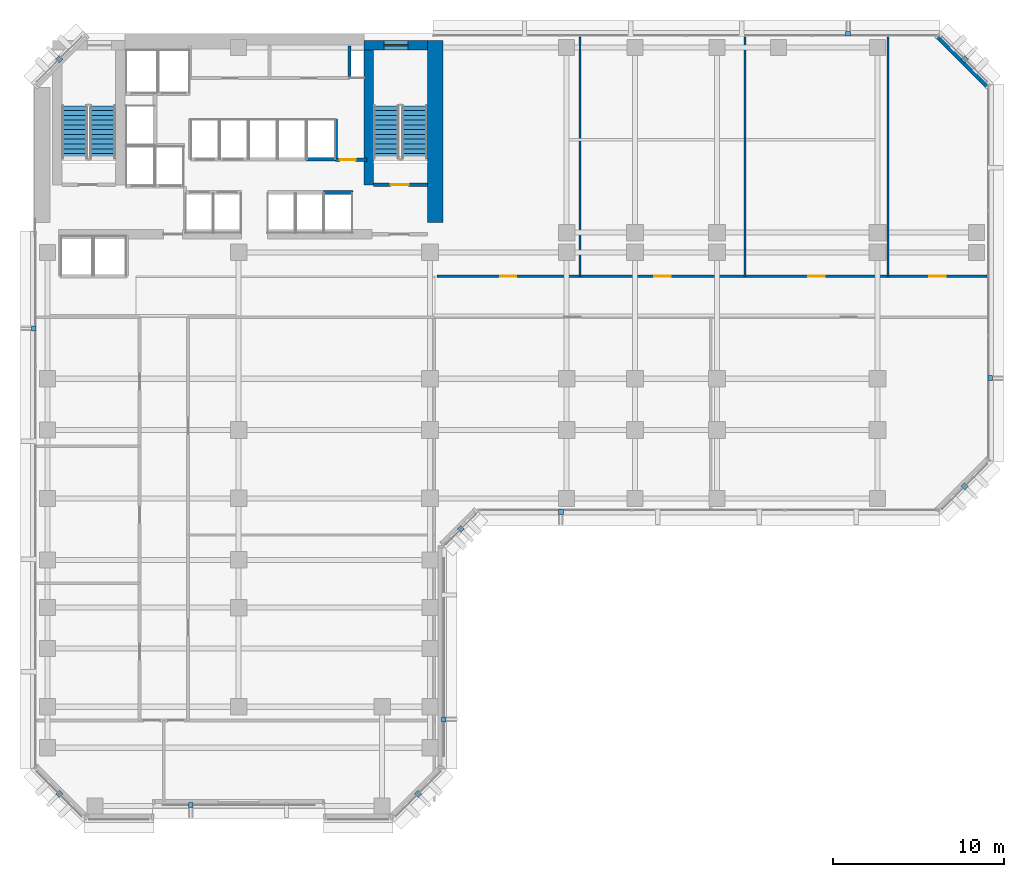
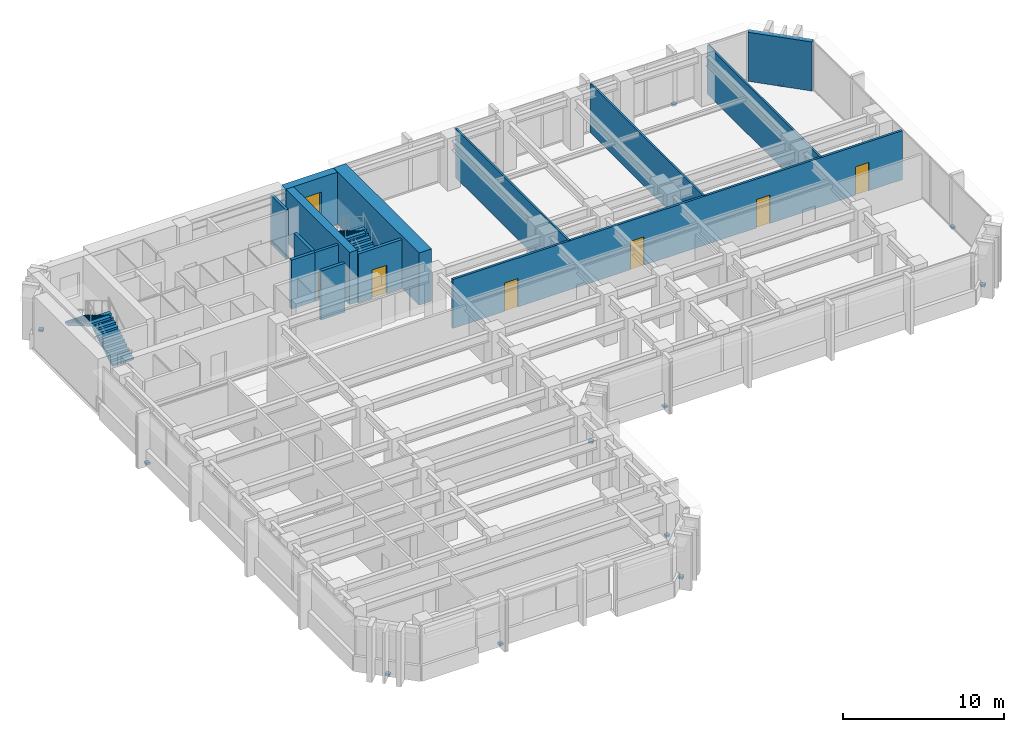
# One storey, part 8 of 13: 14 walls, 12 discrete accessories, 6 doors, 4 stair flights, 1 window, 7 openings, 2 elements without a shape of their own.
"""IFC4 building model written with IfcOpenShell, lengths in metres."""

import ifcopenshell
import ifcopenshell.guid

model = None  # the IFC model being written
_history = None  # IfcOwnerHistory: only IFC2X3 demands one
_inside = {}  # id of a spatial element -> (the spatial element, [elements in it])
_under = {}  # id of a project, library or spatial element -> (it, [spatial elements below it])
_declared = {}  # id of a project -> (the project, [libraries it declares])
_typed = {}  # id of a type object -> (the type object, [elements of that type])
_made_of = {}  # id of a material, layer set ... -> (it, [elements and type objects made of it])


def new_model(schema):
    """Start an empty IFC model of exactly this schema.

    Asked for "IFC4X3", IfcOpenShell would pick the latest addendum, in which some entities
    have other attributes; the version numbers below select the first issue.
    IFC2X3 requires an IfcOwnerHistory on every rooted entity: one is made here for all.
    """
    global model, _history
    if schema == "IFC4X3":
        model = ifcopenshell.file(schema_version=(4, 3, 0, 0))
    else:
        model = ifcopenshell.file(schema=schema)
    _inside.clear()
    _under.clear()
    _declared.clear()
    _typed.clear()
    _made_of.clear()
    _history = None
    if model.schema == "IFC2X3":
        org = make("IfcOrganization", Name="unknown")
        user = make(
            "IfcPersonAndOrganization",
            ThePerson=make("IfcPerson", FamilyName="unknown"),
            TheOrganization=org,
        )
        app = make(
            "IfcApplication",
            ApplicationDeveloper=org,
            Version="unknown",
            ApplicationFullName="unknown",
            ApplicationIdentifier="unknown",
        )
        _history = make(
            "IfcOwnerHistory",
            OwningUser=user,
            OwningApplication=app,
            ChangeAction="ADDED",
            CreationDate=0,
        )
    return model


def make(cls, **values):
    """One entity of the class cls with the attributes given. An attribute that is None is left unset."""
    return model.create_entity(
        cls, **{name: value for name, value in values.items() if value is not None}
    )


def rooted(cls, **values):
    """An entity with a GlobalId (a new one), such as an element, a storey or a relation."""
    return make(cls, GlobalId=ifcopenshell.guid.new(), OwnerHistory=_history, **values)


def si_unit(unit_type, name, prefix=None):
    """IfcSIUnit, for example si_unit("LENGTHUNIT", "METRE", prefix="MILLI")."""
    return make("IfcSIUnit", UnitType=unit_type, Prefix=prefix, Name=name)


def assignment(units):
    """IfcUnitAssignment: the units of a project."""
    return None if units is None else make("IfcUnitAssignment", Units=units)


def point(xyz):
    """IfcCartesianPoint."""
    return None if xyz is None else make("IfcCartesianPoint", Coordinates=xyz)


def direction(xyz):
    """IfcDirection."""
    return None if xyz is None else make("IfcDirection", DirectionRatios=xyz)


def frame(location, z_axis=None, x_axis=None):
    """IfcAxis2Placement3D, a coordinate frame: its origin and axes. An axis left out is left unset."""
    return make(
        "IfcAxis2Placement3D",
        Location=point(location),
        Axis=direction(z_axis),
        RefDirection=direction(x_axis),
    )


def frame_2d(location, x_axis=None):
    """IfcAxis2Placement2D, a coordinate frame in the plane: its origin and x axis."""
    return make(
        "IfcAxis2Placement2D", Location=point(location), RefDirection=direction(x_axis)
    )


def origin():
    """The frame at (0, 0, 0) with its axes left unset."""
    return frame((0.0, 0.0, 0.0))


def origin_2d():
    """The frame at (0, 0) in the plane with its x axis left unset."""
    return frame_2d((0.0, 0.0))


def place(relative_to, where):
    """IfcLocalPlacement: puts the frame where relative to a parent placement (None: the world)."""
    return make(
        "IfcLocalPlacement", PlacementRelTo=relative_to, RelativePlacement=where
    )


def context(
    kind, dimensions, precision=None, world=None, true_north=None, identifier=None
):
    """IfcGeometricRepresentationContext, for example the 3D "Model" context."""
    return make(
        "IfcGeometricRepresentationContext",
        ContextIdentifier=identifier,
        ContextType=kind,
        CoordinateSpaceDimension=dimensions,
        Precision=precision,
        WorldCoordinateSystem=world,
        TrueNorth=true_north,
    )


def subcontext(parent, identifier, kind, view, scale=None):
    """IfcGeometricRepresentationSubContext, for example "Body" below "Model"."""
    return make(
        "IfcGeometricRepresentationSubContext",
        ContextIdentifier=identifier,
        ContextType=kind,
        ParentContext=parent,
        TargetScale=scale,
        TargetView=view,
    )


def project(units=None, contexts=None):
    """IfcProject with its units and contexts."""
    return rooted(
        "IfcProject",
        Name="project",
        RepresentationContexts=contexts,
        UnitsInContext=assignment(units),
    )


def spatial(cls, under=None, at=None, **own):
    """A site, building, storey or space (cls), placed at a placement, below another one or the project."""
    s = rooted(cls, ObjectPlacement=at, **own)
    if under is not None:
        _under.setdefault(under.id(), (under, []))[1].append(s)
    return s


def polyline(points):
    """IfcPolyline through the points."""
    return make("IfcPolyline", Points=[point(p) for p in points])


def profile(cls, at=None, kind="AREA", **sizes):
    """A parametric profile (cls). Its sizes go by their IFC names, for example OverallWidth=200.0."""
    return make(cls, ProfileType=kind, Position=at, **sizes)


def rectangle(**sizes):
    """IfcRectangleProfileDef."""
    return profile("IfcRectangleProfileDef", **sizes)


def outline(outer, holes=None, kind="AREA"):
    """IfcArbitraryClosedProfileDef: a profile drawn as a closed curve; with holes, ...WithVoids."""
    if holes is None:
        return make("IfcArbitraryClosedProfileDef", ProfileType=kind, OuterCurve=outer)
    return make(
        "IfcArbitraryProfileDefWithVoids",
        ProfileType=kind,
        OuterCurve=outer,
        InnerCurves=holes,
    )


def extrude(swept, where, along, depth):
    """IfcExtrudedAreaSolid: the profile swept, set in the frame where, extruded along a direction by depth."""
    return make(
        "IfcExtrudedAreaSolid",
        SweptArea=swept,
        Position=where,
        ExtrudedDirection=direction(along),
        Depth=depth,
    )


def shape(context_of_items, identifier, shape_type, items):
    """IfcShapeRepresentation: the items that make up one representation, for example the "Body"."""
    return make(
        "IfcShapeRepresentation",
        ContextOfItems=context_of_items,
        RepresentationIdentifier=identifier,
        RepresentationType=shape_type,
        Items=items,
    )


def material(Name=None, Category=None):
    """IfcMaterial."""
    return make("IfcMaterial", Name=Name, Category=Category)


def layer(
    of_material, thickness, ventilated=None, Name=None, Category=None, Priority=None
):
    """IfcMaterialLayer: one layer of a wall or slab, of a material (None: an air gap)."""
    return make(
        "IfcMaterialLayer",
        Material=of_material,
        LayerThickness=thickness,
        IsVentilated=ventilated,
        Name=Name,
        Category=Category,
        Priority=Priority,
    )


def layer_set(layers, Name=None):
    """IfcMaterialLayerSet."""
    return make("IfcMaterialLayerSet", MaterialLayers=layers, LayerSetName=Name)


def made_of(thing, what):
    """Note that an element or type object is made of a material, layer set ...; save() writes the relation."""
    if what is not None:
        _made_of.setdefault(what.id(), (what, []))[1].append(thing)
    return thing


def type_object(cls, material=None, **own):
    """A type object (cls), such as IfcWallType, which elements share."""
    return made_of(rooted(cls, **own), material)


def element(
    cls,
    number,
    at=None,
    inside=None,
    cuts=None,
    type_object=None,
    material=None,
    context=None,
    identifier="Body",
    shape_type=None,
    held_by="IfcProductDefinitionShape",
    body=None,
    shapes=None,
    **own,
):
    """One element of the class cls, such as IfcWall. Its Tag is "e" and its number.

    at: its placement. inside: the storey or other place that contains it. cuts: it is an
    opening in that element (IfcRelVoidsElement). A single representation is given by context,
    identifier, shape_type and body (its items); several are given by shapes. held_by: the class
    of the entity that holds the representations. save() writes the other relations.
    """
    e = rooted(cls, Tag="e%d" % number, ObjectPlacement=at, **own)
    if body is not None:
        shapes = [shape(context, identifier, shape_type, body)]
    if shapes is not None:
        e.Representation = make(held_by, Representations=shapes)
    if inside is not None:
        _inside.setdefault(inside.id(), (inside, []))[1].append(e)
    if cuts is not None:
        rooted(
            "IfcRelVoidsElement", RelatingBuildingElement=cuts, RelatedOpeningElement=e
        )
    if type_object is not None:
        _typed.setdefault(type_object.id(), (type_object, []))[1].append(e)
    return made_of(e, material)


def fill(opening, filler):
    """IfcRelFillsElement: the door or window that sits in an opening."""
    return rooted(
        "IfcRelFillsElement",
        RelatingOpeningElement=opening,
        RelatedBuildingElement=filler,
    )


def aggregate(whole, parts):
    """IfcRelAggregates: a whole, such as a stair, and the parts it consists of."""
    return rooted("IfcRelAggregates", RelatingObject=whole, RelatedObjects=parts)


def save(model, path):
    """Write the relations noted so far, then the file.

    IfcRelAggregates (storeys below a building ...), IfcRelContainedInSpatialStructure (elements
    in a storey), IfcRelDefinesByType, IfcRelAssociatesMaterial and IfcRelDeclares: one each for
    every whole, place, type object, material and project.
    """
    for whole, parts in _under.values():
        aggregate(whole, parts)
    for where, things in _inside.values():
        rooted(
            "IfcRelContainedInSpatialStructure",
            RelatedElements=things,
            RelatingStructure=where,
        )
    for kind, things in _typed.values():
        rooted("IfcRelDefinesByType", RelatedObjects=things, RelatingType=kind)
    for what, things in _made_of.values():
        rooted("IfcRelAssociatesMaterial", RelatedObjects=things, RelatingMaterial=what)
    for by, libraries in _declared.values():
        rooted("IfcRelDeclares", RelatingContext=by, RelatedDefinitions=libraries)
    model.write(path)


model = new_model("IFC4")

# Units and contexts
model_context = context("Model", 3, precision=1e-05, world=origin(), true_north=direction((0.0, 1.0)))
body_context = subcontext(model_context, "Body", "Model", "MODEL_VIEW")
ifc_project = project(units=[si_unit("LENGTHUNIT", "METRE"), si_unit("AREAUNIT", "SQUARE_METRE"), si_unit("VOLUMEUNIT", "CUBIC_METRE"), si_unit("PLANEANGLEUNIT", "RADIAN"), si_unit("MASSUNIT", "GRAM", prefix="KILO")], contexts=[model_context])

# Site, building, storey
site_placement = place(None, origin())
site = spatial("IfcSite", under=ifc_project, at=site_placement, CompositionType="ELEMENT")
building_placement = place(site_placement, origin())
building = spatial("IfcBuilding", under=site, at=building_placement, Name="Kefirva Bronze Tower", CompositionType="ELEMENT")
storey_placement = place(building_placement, frame((0.0, 0.0, 38.280029296875)))
storey = spatial("IfcBuildingStorey", under=building, at=storey_placement, Name="L08", CompositionType="ELEMENT", Elevation=38.280029296875)

# Walls
ifc_material_1 = material(Name="Gypsum acoustic partition")
ifc_layer_1 = layer(ifc_material_1, 0.1298828125, Name="Gypsum acoustic partition")
ifc_layer_set_1 = layer_set([ifc_layer_1], Name="Gypsum acoustic partition")
wall_type_1 = type_object("IfcWallType", Name="Acoustic Office Partition 130mm", PredefinedType="PARTITIONING", material=ifc_layer_set_1)
for number, where, z_axis, x_axis, name in (
    (1, (31.974609375, 31.800048828125, 0.0), (0.0, 0.0, 1.0), (0.0, 1.0, 0.0), "L08 Partition W-L08-END1"),
    (2, (41.6376953125, 31.800048828125, 0.0), (0.0, 0.0, 1.0), (0.0, 1.0, 0.0), "L08 Partition W-L08-END2"),
    (3, (50.01220703125, 31.800048828125, 0.0), (0.0, 0.0, 1.0), (0.0, 1.0, 0.0), "L08 Partition W-L08-END3"),
):
    element("IfcWall", number, at=place(storey_placement, frame(where, z_axis=z_axis, x_axis=x_axis)), inside=storey, type_object=wall_type_1, Name=name, PredefinedType="PARTITIONING", context=body_context, shape_type="SweptSolid", body=[
        extrude(rectangle(XDim=14.010009765625, YDim=0.1298828125, at=frame_2d((7.0048828125, 0.0))), origin(), (0.0, 0.0, 1.0), 3.7099609375),
    ])

# Wall, opening, door
ifc_material_2 = material(Name="Gypsum fireboard shaftwall")
ifc_layer_2 = layer(ifc_material_2, 0.219970703125, Name="Gypsum fireboard shaftwall")
ifc_layer_set_2 = layer_set([ifc_layer_2], Name="Gypsum fireboard shaftwall")
wall_type_2 = type_object("IfcWallType", Name="Fire-Rated Shaft Enclosure Wall 220mm", PredefinedType="PARTITIONING", material=ifc_layer_set_2)
wall_1_placement = place(storey_placement, frame((19.89990234375, 37.14990234375, 0.0), z_axis=(0.0, 0.0, 1.0), x_axis=(1.0, 0.0, 0.0)))
wall_1 = element("IfcWall", 4, at=wall_1_placement, inside=storey, type_object=wall_type_2, Name="L08 Partition W-L08-ST2S", PredefinedType="PARTITIONING", context=body_context, shape_type="SweptSolid", body=[
    extrude(rectangle(XDim=3.150146484375, YDim=0.219970703125, at=frame_2d((1.5751953125, 0.0))), origin(), (0.0, 0.0, 1.0), 3.7099609375),
])
opening_1_placement = place(wall_1_placement, frame((2.050048828125, 0.0, 0.0), z_axis=(0.0, 0.0, 1.0), x_axis=(-1.0, 0.0, 0.0)))
opening_1 = element("IfcOpeningElement", 5, at=opening_1_placement, cuts=wall_1, Name="Opening L08-D003", PredefinedType="OPENING", context=body_context, shape_type="SweptSolid", body=[
    extrude(rectangle(XDim=1.050048828125, YDim=2.14990234375, at=frame_2d((0.52490234375, 1.074951171875))), frame((0.0, 0.1201171875, 0.0), z_axis=(0.0, -1.0, 0.0), x_axis=(1.0, 0.0, 0.0)), (0.0, 0.0, 1.0), 0.239990234375),
])
ifc_material_3 = material(Name="Painted galvanized steel", Category="steel")
door_type_1 = type_object("IfcDoorType", Name="Fire Stair Enclosure Door 1050x2150 FD90S", OperationType="NOTDEFINED", PredefinedType="DOOR", material=ifc_material_3)
door_1_placement = place(opening_1_placement, origin())
door_1 = element("IfcDoor", 6, at=door_1_placement, inside=storey, type_object=door_type_1, Name="Door L08-D003", OperationType="SINGLE_SWING_RIGHT", OverallHeight=2.14990234375, OverallWidth=1.050048828125, PredefinedType="DOOR", context=body_context, shape_type="SweptSolid", body=[
    extrude(rectangle(XDim=1.050048828125, YDim=2.14990234375, at=frame_2d((0.52490234375, 1.074951171875))), frame((0.0, 0.02490234375, 0.0), z_axis=(0.0, -1.0, 0.0), x_axis=(1.0, 0.0, 0.0)), (0.0, 0.0, 1.0), 0.050048828125),
])
fill(opening_1, door_1)

# Walls
wall_2_placement = place(storey_placement, frame((17.679931640625, 38.64990234375, 0.0), z_axis=(0.0, 0.0, 1.0), x_axis=(0.0, 1.0, 0.0)))
element("IfcWall", 7, at=wall_2_placement, inside=storey, type_object=wall_type_2, Name="L08 Partition W-L08-HP2E", PredefinedType="PARTITIONING", context=body_context, shape_type="SweptSolid", body=[
    extrude(rectangle(XDim=2.35009765625, YDim=0.199951171875, at=frame_2d((1.175048828125, 0.0))), origin(), (0.0, 0.0, 1.0), 3.7099609375),
])
wall_3_placement = place(storey_placement, frame((16.97998046875, 36.699951171875, 0.0), z_axis=(0.0, 0.0, 1.0), x_axis=(1.0, 0.0, 0.0)))
element("IfcWall", 8, at=wall_3_placement, inside=storey, type_object=wall_type_2, Name="L08 Partition W-L08-HPS", PredefinedType="PARTITIONING", context=body_context, shape_type="SweptSolid", body=[
    extrude(rectangle(XDim=1.699951171875, YDim=0.219970703125, at=frame_2d((0.85009765625, 0.0))), origin(), (0.0, 0.0, 1.0), 3.7099609375),
])
wall_4_placement = place(storey_placement, frame((15.97998046875, 38.64990234375, 0.0), z_axis=(0.0, 0.0, 1.0), x_axis=(1.0, 0.0, 0.0)))
element("IfcWall", 9, at=wall_4_placement, inside=storey, type_object=wall_type_2, Name="L08 Partition W-L08-HPN", PredefinedType="PARTITIONING", context=body_context, shape_type="SweptSolid", body=[
    extrude(rectangle(XDim=1.719970703125, YDim=0.219970703125, at=frame_2d((0.85986328125, 0.0))), origin(), (0.0, 0.0, 1.0), 3.7099609375),
])

# Wall, opening, door
ifc_material_4 = material(Name="Gypsum fireboard barrier")
ifc_layer_3 = layer(ifc_material_4, 0.199951171875, Name="Gypsum fireboard barrier")
ifc_layer_set_3 = layer_set([ifc_layer_3], Name="Gypsum fireboard barrier")
wall_type_3 = type_object("IfcWallType", Name="Firefighting Lobby Barrier Wall 200mm", PredefinedType="PARTITIONING", material=ifc_layer_set_3)
wall_5_placement = place(storey_placement, frame((17.679931640625, 38.6201171875, 0.0), z_axis=(0.0, 0.0, 1.0), x_axis=(1.0, 0.0, 0.0)))
wall_5 = element("IfcWall", 10, at=wall_5_placement, inside=storey, type_object=wall_type_3, Name="L08 Partition W-L08-CPASS", PredefinedType="PARTITIONING", context=body_context, shape_type="SweptSolid", body=[
    extrude(rectangle(XDim=1.840087890625, YDim=0.179931640625, at=frame_2d((0.919921875, 0.0))), origin(), (0.0, 0.0, 1.0), 3.7099609375),
])
opening_2_placement = place(wall_5_placement, frame((0.239990234375, 0.0, 0.0)))
opening_2 = element("IfcOpeningElement", 11, at=opening_2_placement, cuts=wall_5, Name="Opening L08-D-CPAS", PredefinedType="OPENING", context=body_context, shape_type="SweptSolid", body=[
    extrude(rectangle(XDim=0.919921875, YDim=2.10009765625, at=frame_2d((0.4599609375, 1.050048828125))), frame((0.0, 0.10009765625, 0.0), z_axis=(0.0, -1.0, 0.0), x_axis=(1.0, 0.0, 0.0)), (0.0, 0.0, 1.0), 0.199951171875),
])
ifc_material_5 = material(Name="Moisture-resistant timber", Category="wood")
door_type_2 = type_object("IfcDoorType", Name="Accessible Sanitary & WC Door 920x2100", OperationType="NOTDEFINED", PredefinedType="DOOR", material=ifc_material_5)
door_2_placement = place(opening_2_placement, origin())
door_2 = element("IfcDoor", 12, at=door_2_placement, inside=storey, type_object=door_type_2, Name="Door L08-D-CPAS", OperationType="SINGLE_SWING_RIGHT", OverallHeight=2.10009765625, OverallWidth=0.919921875, PredefinedType="DOOR", context=body_context, shape_type="SweptSolid", body=[
    extrude(rectangle(XDim=0.919921875, YDim=2.10009765625, at=frame_2d((0.4599609375, 1.050048828125))), frame((0.0, 0.02490234375, 0.0), z_axis=(0.0, -1.0, 0.0), x_axis=(1.0, 0.0, 0.0)), (0.0, 0.0, 1.0), 0.050048828125),
])
fill(opening_2, door_2)

# Wall
ifc_material_6 = material(Name="Precast concrete C40/50", Category="concrete")
ifc_layer_4 = layer(ifc_material_6, 0.320068359375, Name="Precast concrete C40/50")
ifc_layer_set_4 = layer_set([ifc_layer_4], Name="Precast concrete C40/50")
wall_type_4 = type_object("IfcWallType", Name="Precast Insulated Exterior Wall 320mm", PredefinedType="SOLIDWALL", material=ifc_layer_set_4)
wall_6_placement = place(storey_placement, frame((55.847900390625, 42.92578125, 0.0), z_axis=(0.0, 0.0, 1.0), x_axis=(-0.707106781187, 0.707106781187, 0.0)))
element("IfcWall", 13, at=wall_6_placement, inside=storey, type_object=wall_type_4, Name="L08 Exterior Facade Wall 8", PredefinedType="SOLIDWALL", context=body_context, shape_type="SweptSolid", body=[
    extrude(rectangle(XDim=4.132568359375, YDim=0.320068359375, at=frame_2d((2.06640625, 0.0))), origin(), (0.0, 0.0, 1.0), 3.7099609375),
])

# Wall, openings, doors
ifc_layer_5 = layer(ifc_material_1, 0.159912109375, Name="Gypsum acoustic partition")
ifc_layer_set_5 = layer_set([ifc_layer_5], Name="Gypsum acoustic partition")
wall_type_5 = type_object("IfcWallType", Name="Protected Corridor Partition 160mm", PredefinedType="PARTITIONING", material=ifc_layer_set_5)
wall_7_placement = place(storey_placement, frame((23.60009765625, 31.800048828125, 0.0), z_axis=(0.0, 0.0, 1.0), x_axis=(1.0, 0.0, 0.0)))
wall_7 = element("IfcWall", 14, at=wall_7_placement, inside=storey, type_object=wall_type_5, Name="L08 Partition W-L08-EWN", PredefinedType="PARTITIONING", context=body_context, shape_type="SweptSolid", body=[
    extrude(rectangle(XDim=32.2099609375, YDim=0.159912109375, at=frame_2d((16.10498046875, 0.0))), origin(), (0.0, 0.0, 1.0), 3.7099609375),
])
opening_3_placement = place(wall_7_placement, frame((3.71240234375, 0.0, 0.0)))
opening_3 = element("IfcOpeningElement", 15, at=opening_3_placement, cuts=wall_7, Name="Opening L08-D-EN1", PredefinedType="OPENING", context=body_context, shape_type="SweptSolid", body=[
    extrude(rectangle(XDim=0.949951171875, YDim=2.14990234375, at=frame_2d((0.47509765625, 1.074951171875))), frame((0.0, 0.08984375, 0.0), z_axis=(0.0, -1.0, 0.0), x_axis=(1.0, 0.0, 0.0)), (0.0, 0.0, 1.0), 0.179931640625),
])
opening_4_placement = place(wall_7_placement, frame((12.731201171875, 0.0, 0.0)))
opening_4 = element("IfcOpeningElement", 16, at=opening_4_placement, cuts=wall_7, Name="Opening L08-D-EN2", PredefinedType="OPENING", context=body_context, shape_type="SweptSolid", body=[
    extrude(rectangle(XDim=0.949951171875, YDim=2.14990234375, at=frame_2d((0.47509765625, 1.074951171875))), frame((0.0, 0.08984375, 0.0), z_axis=(0.0, -1.0, 0.0), x_axis=(1.0, 0.0, 0.0)), (0.0, 0.0, 1.0), 0.179931640625),
])
opening_5_placement = place(wall_7_placement, frame((21.75, 0.0, 0.0)))
opening_5 = element("IfcOpeningElement", 17, at=opening_5_placement, cuts=wall_7, Name="Opening L08-D-EN3", PredefinedType="OPENING", context=body_context, shape_type="SweptSolid", body=[
    extrude(rectangle(XDim=0.949951171875, YDim=2.14990234375, at=frame_2d((0.47509765625, 1.074951171875))), frame((0.0, 0.08984375, 0.0), z_axis=(0.0, -1.0, 0.0), x_axis=(1.0, 0.0, 0.0)), (0.0, 0.0, 1.0), 0.179931640625),
])
opening_6_placement = place(wall_7_placement, frame((28.836181640625, 0.0, 0.0)))
opening_6 = element("IfcOpeningElement", 18, at=opening_6_placement, cuts=wall_7, Name="Opening L08-D-EN4", PredefinedType="OPENING", context=body_context, shape_type="SweptSolid", body=[
    extrude(rectangle(XDim=0.949951171875, YDim=2.14990234375, at=frame_2d((0.47509765625, 1.074951171875))), frame((0.0, 0.08984375, 0.0), z_axis=(0.0, -1.0, 0.0), x_axis=(1.0, 0.0, 0.0)), (0.0, 0.0, 1.0), 0.179931640625),
])
ifc_material_7 = material(Name="Acoustic hardwood oak", Category="wood")
door_type_3 = type_object("IfcDoorType", Name="Office & Meeting Room Door 950x2150", OperationType="NOTDEFINED", PredefinedType="DOOR", material=ifc_material_7)
door_3_placement = place(opening_3_placement, origin())
door_3 = element("IfcDoor", 19, at=door_3_placement, inside=storey, type_object=door_type_3, Name="Door L08-D-EN1", OperationType="SINGLE_SWING_RIGHT", OverallHeight=2.14990234375, OverallWidth=0.949951171875, PredefinedType="DOOR", context=body_context, shape_type="SweptSolid", body=[
    extrude(rectangle(XDim=0.949951171875, YDim=2.14990234375, at=frame_2d((0.47509765625, 1.074951171875))), frame((0.0, 0.02490234375, 0.0), z_axis=(0.0, -1.0, 0.0), x_axis=(1.0, 0.0, 0.0)), (0.0, 0.0, 1.0), 0.050048828125),
])
fill(opening_3, door_3)
door_4_placement = place(opening_4_placement, origin())
door_4 = element("IfcDoor", 20, at=door_4_placement, inside=storey, type_object=door_type_3, Name="Door L08-D-EN2", OperationType="SINGLE_SWING_LEFT", OverallHeight=2.14990234375, OverallWidth=0.949951171875, PredefinedType="DOOR", context=body_context, shape_type="SweptSolid", body=[
    extrude(rectangle(XDim=0.949951171875, YDim=2.14990234375, at=frame_2d((0.47509765625, 1.074951171875))), frame((0.0, 0.02490234375, 0.0), z_axis=(0.0, -1.0, 0.0), x_axis=(1.0, 0.0, 0.0)), (0.0, 0.0, 1.0), 0.050048828125),
])
fill(opening_4, door_4)
door_5_placement = place(opening_5_placement, origin())
door_5 = element("IfcDoor", 21, at=door_5_placement, inside=storey, type_object=door_type_3, Name="Door L08-D-EN3", OperationType="SINGLE_SWING_RIGHT", OverallHeight=2.14990234375, OverallWidth=0.949951171875, PredefinedType="DOOR", context=body_context, shape_type="SweptSolid", body=[
    extrude(rectangle(XDim=0.949951171875, YDim=2.14990234375, at=frame_2d((0.47509765625, 1.074951171875))), frame((0.0, 0.02490234375, 0.0), z_axis=(0.0, -1.0, 0.0), x_axis=(1.0, 0.0, 0.0)), (0.0, 0.0, 1.0), 0.050048828125),
])
fill(opening_5, door_5)
door_6_placement = place(opening_6_placement, origin())
door_6 = element("IfcDoor", 22, at=door_6_placement, inside=storey, type_object=door_type_3, Name="Door L08-D-EN4", OperationType="SINGLE_SWING_LEFT", OverallHeight=2.14990234375, OverallWidth=0.949951171875, PredefinedType="DOOR", context=body_context, shape_type="SweptSolid", body=[
    extrude(rectangle(XDim=0.949951171875, YDim=2.14990234375, at=frame_2d((0.47509765625, 1.074951171875))), frame((0.0, 0.02490234375, 0.0), z_axis=(0.0, -1.0, 0.0), x_axis=(1.0, 0.0, 0.0)), (0.0, 0.0, 1.0), 0.050048828125),
])
fill(opening_6, door_6)

# Wall, opening, window
ifc_material_8 = material(Name="Concrete C50/60", Category="concrete")
ifc_layer_6 = layer(ifc_material_8, 0.550048828125, Name="Concrete C50/60")
ifc_layer_set_6 = layer_set([ifc_layer_6], Name="Concrete C50/60")
wall_type_6 = type_object("IfcWallType", Name="RC Rear Core Exterior Wall 550mm", PredefinedType="SHEAR", material=ifc_layer_set_6)
wall_8_placement = place(storey_placement, frame((19.35009765625, 45.320068359375, 0.0), z_axis=(0.0, 0.0, 1.0), x_axis=(1.0, 0.0, 0.0)))
wall_8 = element("IfcWall", 23, at=wall_8_placement, inside=storey, type_object=wall_type_6, Name="L08 Stair 2 North Shear Wall", PredefinedType="SHEAR", context=body_context, shape_type="SweptSolid", body=[
    extrude(rectangle(XDim=3.68994140625, YDim=0.550048828125, at=frame_2d((1.844970703125, 0.0))), origin(), (0.0, 0.0, 1.0), 3.9599609375),
])
opening_7_placement = place(wall_8_placement, frame((1.14990234375, 0.0, 1.050048828125)))
opening_7 = element("IfcOpeningElement", 24, at=opening_7_placement, cuts=wall_8, Name="Opening WN-03", PredefinedType="OPENING", context=body_context, shape_type="SweptSolid", body=[
    extrude(rectangle(XDim=1.39990234375, YDim=1.800048828125, at=frame_2d((0.699951171875, 0.89990234375))), frame((0.0, 0.28515625, 0.0), z_axis=(0.0, -1.0, 0.0), x_axis=(1.0, 0.0, 0.0)), (0.0, 0.0, 1.0), 0.570068359375),
])
ifc_material_9 = material(Name="Laminated low-E double glazing", Category="glass")
window_type = type_object("IfcWindowType", Name="Rear-Core Stair Daylight Window 1400x1800", PartitioningType="SINGLE_PANEL", PredefinedType="WINDOW", material=ifc_material_9)
window_placement = place(opening_7_placement, origin())
window = element("IfcWindow", 25, at=window_placement, inside=storey, type_object=window_type, Name="L08 Stair 2 Daylight Window", OverallHeight=1.800048828125, OverallWidth=1.39990234375, PartitioningType="SINGLE_PANEL", PredefinedType="WINDOW", context=body_context, shape_type="SweptSolid", body=[
    extrude(rectangle(XDim=1.39990234375, YDim=1.800048828125, at=frame_2d((0.699951171875, 0.89990234375))), frame((0.0, 0.030029296875, 0.0), z_axis=(0.0, -1.0, 0.0), x_axis=(1.0, 0.0, 0.0)), (0.0, 0.0, 1.0), 0.06005859375),
])
fill(opening_7, window)

# Walls
ifc_layer_7 = layer(ifc_material_8, 0.550048828125, Name="Concrete C50/60")
ifc_layer_set_7 = layer_set([ifc_layer_7], Name="Concrete C50/60")
wall_type_7 = type_object("IfcWallType", Name="RC Rear Core Interior Wall 550mm", PredefinedType="SHEAR", material=ifc_layer_set_7)
wall_9_placement = place(storey_placement, frame((19.6201171875, 37.14990234375, 0.0), z_axis=(0.0, 0.0, 1.0), x_axis=(0.0, 1.0, 0.0)))
element("IfcWall", 26, at=wall_9_placement, inside=storey, type_object=wall_type_7, Name="L08 Stair 2 West Shear Wall", PredefinedType="SHEAR", context=body_context, shape_type="SweptSolid", body=[
    extrude(rectangle(XDim=7.89013671875, YDim=0.550048828125, at=frame_2d((3.945068359375, 0.0))), origin(), (0.0, 0.0, 1.0), 3.9599609375),
])
ifc_material_10 = material(Name="Concrete C60/75", Category="concrete")
ifc_layer_8 = layer(ifc_material_10, 0.89990234375, Name="Concrete C60/75")
ifc_layer_set_8 = layer_set([ifc_layer_8], Name="Concrete C60/75")
wall_type_8 = type_object("IfcWallType", Name="RC Rear Core Interior Wall 900mm", PredefinedType="SHEAR", material=ifc_layer_set_8)
wall_10_placement = place(storey_placement, frame((23.5, 34.949951171875, 0.0), z_axis=(0.0, 0.0, 1.0), x_axis=(0.0, 1.0, 0.0)))
element("IfcWall", 27, at=wall_10_placement, inside=storey, type_object=wall_type_8, Name="L08 Rear Core East Shear Wall", PredefinedType="SHEAR", context=body_context, shape_type="SweptSolid", body=[
    extrude(rectangle(XDim=10.64013671875, YDim=0.89990234375, at=frame_2d((5.320068359375, 0.0))), origin(), (0.0, 0.0, 1.0), 3.9599609375),
])
ifc_material_11 = material(Name="Moisture-resistant partition")
ifc_layer_9 = layer(ifc_material_11, 0.179931640625, Name="Moisture-resistant partition")
ifc_layer_set_9 = layer_set([ifc_layer_9], Name="Moisture-resistant partition")
wall_type_9 = type_object("IfcWallType", Name="Sanitary Plumbing Chase Wall 180mm", PredefinedType="PLUMBINGWALL", material=ifc_layer_set_9)
wall_11_placement = place(storey_placement, frame((18.47998046875, 43.39990234375, 0.0), z_axis=(0.0, 0.0, 1.0), x_axis=(0.0, 1.0, 0.0)))
element("IfcWall", 28, at=wall_11_placement, inside=storey, type_object=wall_type_9, Name="L08 Partition W-L08-SVCE", PredefinedType="PLUMBINGWALL", context=body_context, shape_type="SweptSolid", body=[
    extrude(rectangle(XDim=1.880126953125, YDim=0.179931640625, at=frame_2d((0.93994140625, 0.0))), origin(), (0.0, 0.0, 1.0), 3.7099609375),
])

# Stair, stair flights
ifc_material_12 = material(Name="Concrete C40/50", Category="concrete")
stair_type = type_object("IfcStairType", Name="RC Dogleg Protected Stair 24R", PredefinedType="HALF_TURN_STAIR", material=ifc_material_12)
stair_1_placement = place(storey_placement, origin())
stair_1 = element("IfcStair", 29, at=stair_1_placement, inside=storey, type_object=stair_type, Name="L08 Protected Exit Stair 1", PredefinedType="HALF_TURN_STAIR")
stair_flight_type = type_object("IfcStairFlightType", Name="RC Straight Stair Flight 24R", PredefinedType="STRAIGHT", material=ifc_material_12)
stair_flight_1_placement = place(storey_placement, frame((4.050048828125, 38.699951171875, 0.0), z_axis=(0.0, 0.0, 1.0), x_axis=(0.0, 1.0, 0.0)))
stair_flight_1 = element("IfcStairFlight", 30, at=stair_flight_1_placement, type_object=stair_flight_type, Name="ST-1 flight 1", NumberOfRisers=12, NumberOfTreads=11, PredefinedType="STRAIGHT", RiserHeight=0.165, TreadLength=0.28, context=body_context, shape_type="SweptSolid", body=[
    extrude(outline(polyline([(0.0, 0.0), (0.0, 0.1650390625), (0.280029296875, 0.1650390625), (0.280029296875, 0.330078125), (0.56005859375, 0.330078125), (0.56005859375, 0.4951171875), (0.840087890625, 0.4951171875), (0.840087890625, 0.659912109375), (1.1201171875, 0.659912109375), (1.1201171875, 0.824951171875), (1.39990234375, 0.824951171875), (1.39990234375, 0.989990234375), (1.679931640625, 0.989990234375), (1.679931640625, 1.155029296875), (1.9599609375, 1.155029296875), (1.9599609375, 1.320068359375), (2.239990234375, 1.320068359375), (2.239990234375, 1.485107421875), (2.52001953125, 1.485107421875), (2.52001953125, 1.64990234375), (2.800048828125, 1.64990234375), (2.800048828125, 1.81494140625), (3.080078125, 1.81494140625), (3.080078125, 1.97998046875), (3.080078125, 1.64111328125), (0.295166015625, 0.0), (0.0, 0.0)])), frame((0.0, 0.75, 0.0), z_axis=(0.0, -1.0, 0.0), x_axis=(1.0, 0.0, 0.0)), (0.0, 0.0, 1.0), 1.5),
])
stair_flight_2_placement = place(storey_placement, frame((2.39990234375, 41.780029296875, 1.97998046875), z_axis=(0.0, 0.0, 1.0), x_axis=(0.0, -1.0, 0.0)))
stair_flight_2 = element("IfcStairFlight", 31, at=stair_flight_2_placement, type_object=stair_flight_type, Name="ST-1 flight 2", NumberOfRisers=12, NumberOfTreads=11, PredefinedType="STRAIGHT", RiserHeight=0.165, TreadLength=0.28, context=body_context, shape_type="SweptSolid", body=[
    extrude(outline(polyline([(0.0, 0.0), (0.0, 0.1650390625), (0.280029296875, 0.1650390625), (0.280029296875, 0.330078125), (0.56005859375, 0.330078125), (0.56005859375, 0.4951171875), (0.840087890625, 0.4951171875), (0.840087890625, 0.659912109375), (1.1201171875, 0.659912109375), (1.1201171875, 0.824951171875), (1.39990234375, 0.824951171875), (1.39990234375, 0.989990234375), (1.679931640625, 0.989990234375), (1.679931640625, 1.155029296875), (1.9599609375, 1.155029296875), (1.9599609375, 1.320068359375), (2.239990234375, 1.320068359375), (2.239990234375, 1.485107421875), (2.52001953125, 1.485107421875), (2.52001953125, 1.64990234375), (2.800048828125, 1.64990234375), (2.800048828125, 1.81494140625), (3.080078125, 1.81494140625), (3.080078125, 1.97998046875), (3.080078125, 1.64111328125), (0.295166015625, 0.0), (0.0, 0.0)])), frame((0.0, 0.75, 0.0), z_axis=(0.0, -1.0, 0.0), x_axis=(1.0, 0.0, 0.0)), (0.0, 0.0, 1.0), 1.5),
])
aggregate(stair_1, [stair_flight_1, stair_flight_2])

stair_2_placement = place(storey_placement, origin())
stair_2 = element("IfcStair", 32, at=stair_2_placement, inside=storey, type_object=stair_type, Name="L08 Protected Exit Stair 2", PredefinedType="HALF_TURN_STAIR")
stair_flight_3_placement = place(storey_placement, frame((22.300048828125, 38.699951171875, 0.0), z_axis=(0.0, 0.0, 1.0), x_axis=(0.0, 1.0, 0.0)))
stair_flight_3 = element("IfcStairFlight", 33, at=stair_flight_3_placement, type_object=stair_flight_type, Name="ST-2 flight 1", NumberOfRisers=12, NumberOfTreads=11, PredefinedType="STRAIGHT", RiserHeight=0.165, TreadLength=0.28, context=body_context, shape_type="SweptSolid", body=[
    extrude(outline(polyline([(0.0, 0.0), (0.0, 0.1650390625), (0.280029296875, 0.1650390625), (0.280029296875, 0.330078125), (0.56005859375, 0.330078125), (0.56005859375, 0.4951171875), (0.840087890625, 0.4951171875), (0.840087890625, 0.659912109375), (1.1201171875, 0.659912109375), (1.1201171875, 0.824951171875), (1.39990234375, 0.824951171875), (1.39990234375, 0.989990234375), (1.679931640625, 0.989990234375), (1.679931640625, 1.155029296875), (1.9599609375, 1.155029296875), (1.9599609375, 1.320068359375), (2.239990234375, 1.320068359375), (2.239990234375, 1.485107421875), (2.52001953125, 1.485107421875), (2.52001953125, 1.64990234375), (2.800048828125, 1.64990234375), (2.800048828125, 1.81494140625), (3.080078125, 1.81494140625), (3.080078125, 1.97998046875), (3.080078125, 1.64111328125), (0.295166015625, 0.0), (0.0, 0.0)])), frame((0.0, 0.75, 0.0), z_axis=(0.0, -1.0, 0.0), x_axis=(1.0, 0.0, 0.0)), (0.0, 0.0, 1.0), 1.5),
])
stair_flight_4_placement = place(storey_placement, frame((20.64990234375, 41.780029296875, 1.97998046875), z_axis=(0.0, 0.0, 1.0), x_axis=(0.0, -1.0, 0.0)))
stair_flight_4 = element("IfcStairFlight", 34, at=stair_flight_4_placement, type_object=stair_flight_type, Name="ST-2 flight 2", NumberOfRisers=12, NumberOfTreads=11, PredefinedType="STRAIGHT", RiserHeight=0.165, TreadLength=0.28, context=body_context, shape_type="SweptSolid", body=[
    extrude(outline(polyline([(0.0, 0.0), (0.0, 0.1650390625), (0.280029296875, 0.1650390625), (0.280029296875, 0.330078125), (0.56005859375, 0.330078125), (0.56005859375, 0.4951171875), (0.840087890625, 0.4951171875), (0.840087890625, 0.659912109375), (1.1201171875, 0.659912109375), (1.1201171875, 0.824951171875), (1.39990234375, 0.824951171875), (1.39990234375, 0.989990234375), (1.679931640625, 0.989990234375), (1.679931640625, 1.155029296875), (1.9599609375, 1.155029296875), (1.9599609375, 1.320068359375), (2.239990234375, 1.320068359375), (2.239990234375, 1.485107421875), (2.52001953125, 1.485107421875), (2.52001953125, 1.64990234375), (2.800048828125, 1.64990234375), (2.800048828125, 1.81494140625), (3.080078125, 1.81494140625), (3.080078125, 1.97998046875), (3.080078125, 1.64111328125), (0.295166015625, 0.0), (0.0, 0.0)])), frame((0.0, 0.75, 0.0), z_axis=(0.0, -1.0, 0.0), x_axis=(1.0, 0.0, 0.0)), (0.0, 0.0, 1.0), 1.5),
])
aggregate(stair_2, [stair_flight_3, stair_flight_4])

# Discrete accessories
ifc_material_13 = material(Name="Stainless steel 316", Category="steel")
ifc_layer_10 = layer(ifc_material_13, 0.159912109375, Name="Stainless steel 316")
ifc_layer_set_10 = layer_set([ifc_layer_10], Name="Stainless steel 316")
discrete_accessory_type = type_object("IfcDiscreteAccessoryType", Name="Stainless Facade Outrigger Bracket", PredefinedType="BRACKET", material=ifc_layer_set_10)
discrete_accessory_1_placement = place(storey_placement, frame((9.199951171875, 0.85009765625, -0.16015625), z_axis=(0.0, 0.0, 1.0), x_axis=(1.0, 0.0, 0.0)))
element("IfcDiscreteAccessory", 35, at=discrete_accessory_1_placement, inside=storey, type_object=discrete_accessory_type, Name="L08 Rib Outrigger Bracket 1", PredefinedType="BRACKET", context=body_context, shape_type="SweptSolid", body=[
    extrude(rectangle(XDim=0.280029296875, YDim=0.280029296875, at=origin_2d()), origin(), (0.0, 0.0, 1.0), 0.159912109375),
])
discrete_accessory_2_placement = place(storey_placement, frame((22.5, 1.5, -0.16015625), z_axis=(0.0, 0.0, 1.0), x_axis=(0.707106781187, 0.707106781187, 0.0)))
element("IfcDiscreteAccessory", 36, at=discrete_accessory_2_placement, inside=storey, type_object=discrete_accessory_type, Name="L08 Corner Fin Outrigger Bracket 4", PredefinedType="BRACKET", context=body_context, shape_type="SweptSolid", body=[
    extrude(rectangle(XDim=0.300048828125, YDim=0.300048828125, at=origin_2d()), origin(), (0.0, 0.0, 1.0), 0.159912109375),
])
discrete_accessory_3_placement = place(storey_placement, frame((24.0, 5.860107421875, -0.16015625), z_axis=(0.0, 0.0, 1.0), x_axis=(0.0, 1.0, 0.0)))
element("IfcDiscreteAccessory", 37, at=discrete_accessory_3_placement, inside=storey, type_object=discrete_accessory_type, Name="L08 Rib Outrigger Bracket 5", PredefinedType="BRACKET", context=body_context, shape_type="SweptSolid", body=[
    extrude(rectangle(XDim=0.280029296875, YDim=0.280029296875, at=origin_2d()), origin(), (0.0, 0.0, 1.0), 0.159912109375),
])
discrete_accessory_4_placement = place(storey_placement, frame((25.0, 17.0, -0.16015625), z_axis=(0.0, 0.0, 1.0), x_axis=(0.707106781187, 0.707106781187, 0.0)))
element("IfcDiscreteAccessory", 38, at=discrete_accessory_4_placement, inside=storey, type_object=discrete_accessory_type, Name="L08 Corner Fin Outrigger Bracket 8", PredefinedType="BRACKET", context=body_context, shape_type="SweptSolid", body=[
    extrude(rectangle(XDim=0.300048828125, YDim=0.300048828125, at=origin_2d()), origin(), (0.0, 0.0, 1.0), 0.159912109375),
])
discrete_accessory_5_placement = place(storey_placement, frame((30.860107421875, 18.0, -0.16015625), z_axis=(0.0, 0.0, 1.0), x_axis=(1.0, 0.0, 0.0)))
element("IfcDiscreteAccessory", 39, at=discrete_accessory_5_placement, inside=storey, type_object=discrete_accessory_type, Name="L08 Rib Outrigger Bracket 9", PredefinedType="BRACKET", context=body_context, shape_type="SweptSolid", body=[
    extrude(rectangle(XDim=0.280029296875, YDim=0.280029296875, at=origin_2d()), origin(), (0.0, 0.0, 1.0), 0.159912109375),
])
discrete_accessory_6_placement = place(storey_placement, frame((54.5, 19.5, -0.16015625), z_axis=(0.0, 0.0, 1.0), x_axis=(0.707106781187, 0.707106781187, 0.0)))
element("IfcDiscreteAccessory", 40, at=discrete_accessory_6_placement, inside=storey, type_object=discrete_accessory_type, Name="L08 Corner Fin Outrigger Bracket 14", PredefinedType="BRACKET", context=body_context, shape_type="SweptSolid", body=[
    extrude(rectangle(XDim=0.300048828125, YDim=0.300048828125, at=origin_2d()), origin(), (0.0, 0.0, 1.0), 0.159912109375),
])
discrete_accessory_7_placement = place(storey_placement, frame((56.0, 25.840087890625, -0.16015625), z_axis=(0.0, 0.0, 1.0), x_axis=(0.0, 1.0, 0.0)))
element("IfcDiscreteAccessory", 41, at=discrete_accessory_7_placement, inside=storey, type_object=discrete_accessory_type, Name="L08 Rib Outrigger Bracket 15", PredefinedType="BRACKET", context=body_context, shape_type="SweptSolid", body=[
    extrude(rectangle(XDim=0.280029296875, YDim=0.280029296875, at=origin_2d()), origin(), (0.0, 0.0, 1.0), 0.159912109375),
])
discrete_accessory_8_placement = place(storey_placement, frame((54.5, 44.5, -0.16015625), z_axis=(0.0, 0.0, 1.0), x_axis=(-0.707106781187, 0.707106781187, 0.0)))
element("IfcDiscreteAccessory", 42, at=discrete_accessory_8_placement, inside=storey, type_object=discrete_accessory_type, Name="L08 Corner Fin Outrigger Bracket 18", PredefinedType="BRACKET", context=body_context, shape_type="SweptSolid", body=[
    extrude(rectangle(XDim=0.300048828125, YDim=0.300048828125, at=origin_2d()), origin(), (0.0, 0.0, 1.0), 0.159912109375),
])
discrete_accessory_9_placement = place(storey_placement, frame((47.6728515625, 46.0, -0.16015625), z_axis=(0.0, 0.0, 1.0), x_axis=(-1.0, 0.0, 0.0)))
element("IfcDiscreteAccessory", 43, at=discrete_accessory_9_placement, inside=storey, type_object=discrete_accessory_type, Name="L08 Rib Outrigger Bracket 19", PredefinedType="BRACKET", context=body_context, shape_type="SweptSolid", body=[
    extrude(rectangle(XDim=0.280029296875, YDim=0.280029296875, at=origin_2d()), origin(), (0.0, 0.0, 1.0), 0.159912109375),
])
discrete_accessory_10_placement = place(storey_placement, frame((1.5, 44.5, -0.16015625), z_axis=(0.0, 0.0, 1.0), x_axis=(-0.707106781187, -0.707106781187, 0.0)))
element("IfcDiscreteAccessory", 44, at=discrete_accessory_10_placement, inside=storey, type_object=discrete_accessory_type, Name="L08 Corner Fin Outrigger Bracket 24", PredefinedType="BRACKET", context=body_context, shape_type="SweptSolid", body=[
    extrude(rectangle(XDim=0.300048828125, YDim=0.300048828125, at=origin_2d()), origin(), (0.0, 0.0, 1.0), 0.159912109375),
])
discrete_accessory_11_placement = place(storey_placement, frame((0.0, 28.743896484375, -0.16015625), z_axis=(0.0, 0.0, 1.0), x_axis=(0.0, -1.0, 0.0)))
element("IfcDiscreteAccessory", 45, at=discrete_accessory_11_placement, inside=storey, type_object=discrete_accessory_type, Name="L08 Rib Outrigger Bracket 25", PredefinedType="BRACKET", context=body_context, shape_type="SweptSolid", body=[
    extrude(rectangle(XDim=0.280029296875, YDim=0.280029296875, at=origin_2d()), origin(), (0.0, 0.0, 1.0), 0.159912109375),
])
discrete_accessory_12_placement = place(storey_placement, frame((1.5, 1.5, -0.16015625), z_axis=(0.0, 0.0, 1.0), x_axis=(0.707106781187, -0.707106781187, 0.0)))
element("IfcDiscreteAccessory", 46, at=discrete_accessory_12_placement, inside=storey, type_object=discrete_accessory_type, Name="L08 Corner Fin Outrigger Bracket 30", PredefinedType="BRACKET", context=body_context, shape_type="SweptSolid", body=[
    extrude(rectangle(XDim=0.300048828125, YDim=0.300048828125, at=origin_2d()), origin(), (0.0, 0.0, 1.0), 0.159912109375),
])

save(model, "model.ifc")
